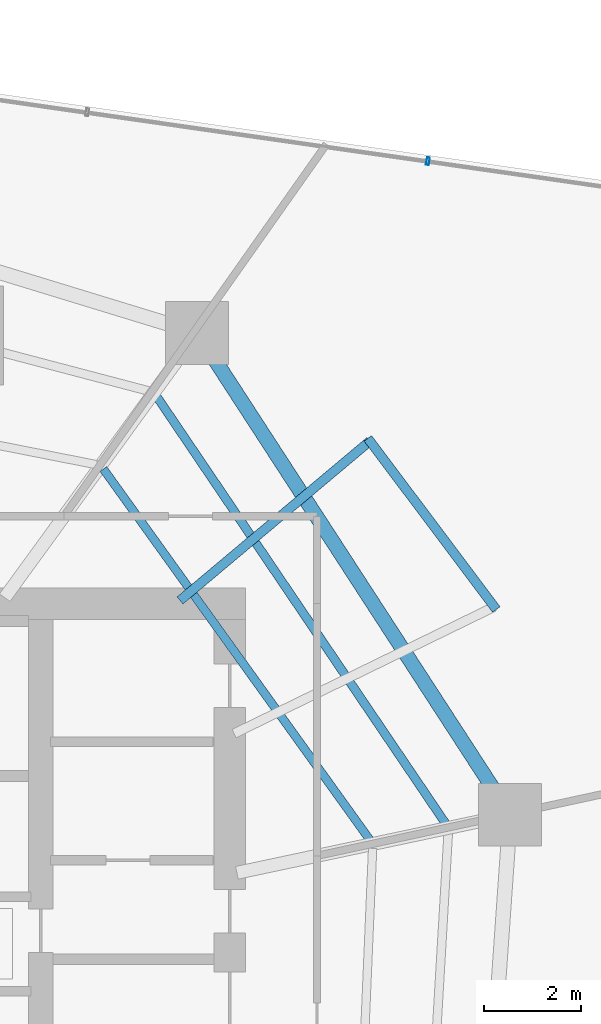
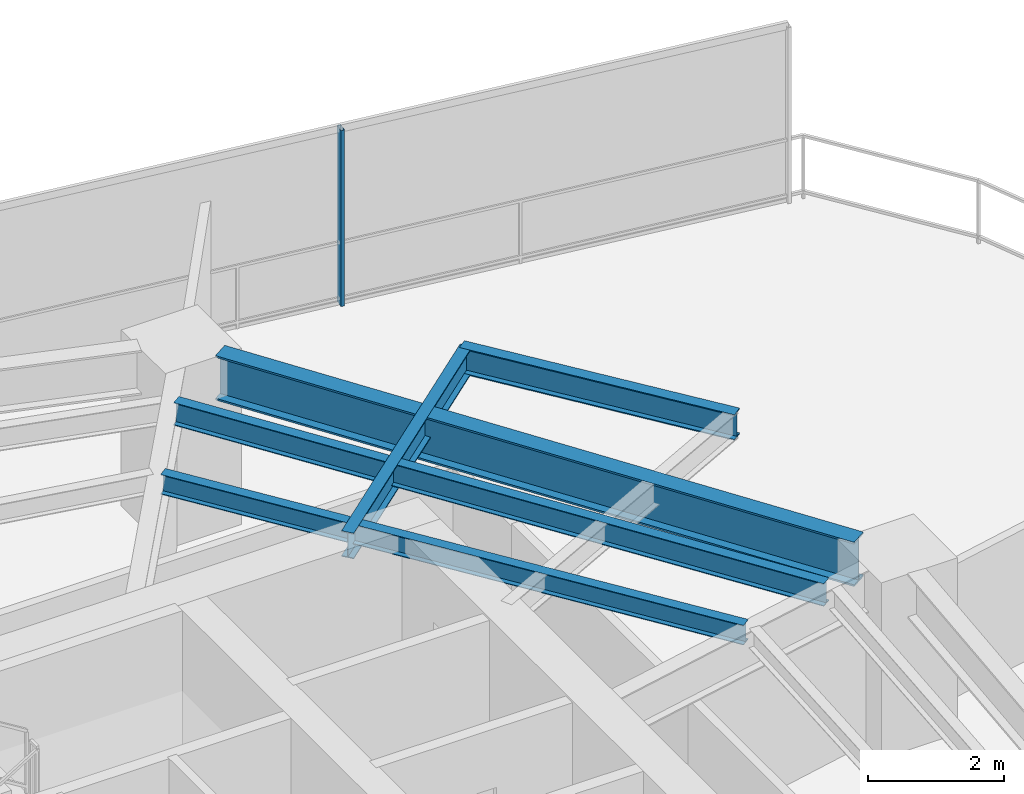
# One storey, part 23 of 32: 5 beams, 1 member, 1 element without a shape of its own.
"""IFC4 building model written with IfcOpenShell, lengths in metres."""

from ifc_helpers import new_model, si_unit, direction, frame, origin, origin_2d, place, context, subcontext, project, spatial, hollow_rectangle, i_section, extrude, material, layer, layer_set, material_profile, profile_set, type_object, element, aggregate, save


model = new_model("IFC4")

# Units and contexts
model_context = context("Model", 3, precision=1e-05, world=origin(), true_north=direction((0.0, 1.0)))
body_context = subcontext(model_context, "Body", "Model", "MODEL_VIEW")
ifc_project = project(units=[si_unit("LENGTHUNIT", "METRE"), si_unit("AREAUNIT", "SQUARE_METRE"), si_unit("VOLUMEUNIT", "CUBIC_METRE"), si_unit("PLANEANGLEUNIT", "RADIAN"), si_unit("MASSUNIT", "GRAM", prefix="KILO")], contexts=[model_context])

# Site, building, storey
site_placement = place(None, origin())
site = spatial("IfcSite", under=ifc_project, at=site_placement, CompositionType="ELEMENT")
building_placement = place(site_placement, origin())
building = spatial("IfcBuilding", under=site, at=building_placement, Name="Qarnah Convention Tower", CompositionType="ELEMENT")
storey_placement = place(building_placement, frame((0.0, 0.0, 37.35009765625)))
storey = spatial("IfcBuildingStorey", under=building, at=storey_placement, Name="L08", CompositionType="ELEMENT", Elevation=37.35009765625)

# Beams
ifc_material_1 = material(Name="Structural steel S355JR", Category="steel")
ifc_material_profile_1 = material_profile(ifc_material_1, i_section(OverallWidth=0.19189453125, OverallDepth=0.464111328125, WebThickness=0.010986328125, FlangeThickness=0.01806640625, at=origin_2d()), Name="W460X89")
ifc_profile_set_1 = profile_set([ifc_material_profile_1], Name="Structural steel S355JR")
beam_type_1 = type_object("IfcBeamType", Name="BM-CANT-W460A", PredefinedType="BEAM", material=ifc_profile_set_1)
beam_1_placement = place(storey_placement, frame((46.572021484375, 34.263916015625, 2.93798828125), z_axis=(0.765964185984, 0.64288324429, 0.0), x_axis=(-0.64288324429, 0.765964185984, 0.0)))
element("IfcBeam", 1, at=beam_1_placement, inside=storey, type_object=beam_type_1, Name="L08 beam BM-L08-CNT-01-2", PredefinedType="BEAM", context=body_context, shape_type="SweptSolid", body=[
    extrude(i_section(OverallWidth=0.19189453125, OverallDepth=0.464111328125, WebThickness=0.010986328125, FlangeThickness=0.01806640625, at=origin_2d()), origin(), (0.0, 0.0, 1.0), 5.11767578125),
])
beam_2_placement = place(storey_placement, frame((53.10107421875, 34.077880859375, 2.93798828125), z_axis=(-0.600282994859, 0.799787675626, 0.0), x_axis=(-0.799787675626, -0.600282994859, 0.0)))
element("IfcBeam", 2, at=beam_2_placement, inside=storey, type_object=beam_type_1, Name="L08 spandrel BM-L08-CTIE-01", PredefinedType="SPANDREL", context=body_context, shape_type="SweptSolid", body=[
    extrude(i_section(OverallWidth=0.19189453125, OverallDepth=0.464111328125, WebThickness=0.010986328125, FlangeThickness=0.01806640625, at=origin_2d()), origin(), (0.0, 0.0, 1.0), 4.41650390625),
])
ifc_material_profile_2 = material_profile(ifc_material_1, i_section(OverallWidth=0.172119140625, OverallDepth=0.35595703125, WebThickness=0.007080078125, FlangeThickness=0.011962890625, at=origin_2d()), Name="W360X51")
ifc_profile_set_2 = profile_set([ifc_material_profile_2], Name="Structural steel S355JR")
beam_type_2 = type_object("IfcBeamType", Name="BM-JST-W360", PredefinedType="JOIST", material=ifc_profile_set_2)
beam_3_placement = place(storey_placement, frame((50.4990234375, 29.31103515625, 2.991943359375), z_axis=(-0.583503875683, 0.812110353993, 0.0), x_axis=(-0.812110353993, -0.583503875683, 0.0)))
element("IfcBeam", 3, at=beam_3_placement, inside=storey, type_object=beam_type_2, Name="L08 joist BM-L08-IJST-01", PredefinedType="JOIST", context=body_context, shape_type="SweptSolid", body=[
    extrude(i_section(OverallWidth=0.172119140625, OverallDepth=0.35595703125, WebThickness=0.007080078125, FlangeThickness=0.011962890625, at=origin_2d()), origin(), (0.0, 0.0, 1.0), 9.439697265625),
])
ifc_material_profile_3 = material_profile(ifc_material_1, i_section(OverallWidth=0.177978515625, OverallDepth=0.407958984375, WebThickness=0.008056640625, FlangeThickness=0.012939453125, at=origin_2d()), Name="W410X60")
ifc_profile_set_3 = profile_set([ifc_material_profile_3], Name="Structural steel S355JR")
beam_type_3 = type_object("IfcBeamType", Name="BM-JST-W410", PredefinedType="JOIST", material=ifc_profile_set_3)
beam_4_placement = place(storey_placement, frame((52.06494140625, 29.64501953125, 2.9658203125), z_axis=(-0.560357375218, 0.828250935429, 0.0), x_axis=(-0.828250935429, -0.560357375218, 0.0)))
element("IfcBeam", 4, at=beam_4_placement, inside=storey, type_object=beam_type_3, Name="L08 joist BM-L08-SJST-01", PredefinedType="JOIST", context=body_context, shape_type="SweptSolid", body=[
    extrude(i_section(OverallWidth=0.177978515625, OverallDepth=0.407958984375, WebThickness=0.008056640625, FlangeThickness=0.012939453125, at=origin_2d()), origin(), (0.0, 0.0, 1.0), 10.671630859375),
])
ifc_material_profile_4 = material_profile(ifc_material_1, i_section(OverallWidth=0.300048828125, OverallDepth=0.800048828125, WebThickness=0.01806640625, FlangeThickness=0.032958984375, at=origin_2d()), Name="HEB800")
ifc_profile_set_4 = profile_set([ifc_material_profile_4], Name="Structural steel S355JR")
beam_type_4 = type_object("IfcBeamType", Name="BM-RING-HEB800", PredefinedType="BEAM", material=ifc_profile_set_4)
beam_5_placement = place(storey_placement, frame((53.0390625, 30.3779296875, 2.77001953125), z_axis=(-0.544579515688, 0.838709217246, 0.0), x_axis=(-0.838709217246, -0.544579515688, 0.0)))
element("IfcBeam", 5, at=beam_5_placement, inside=storey, type_object=beam_type_4, Name="L08 beam BM-L08-SPN-01", PredefinedType="BEAM", context=body_context, shape_type="SweptSolid", body=[
    extrude(i_section(OverallWidth=0.300048828125, OverallDepth=0.800048828125, WebThickness=0.01806640625, FlangeThickness=0.032958984375, at=origin_2d()), origin(), (0.0, 0.0, 1.0), 10.58056640625),
])

# Curtain wall, member
ifc_material_2 = material(Name="Tempered Low-E dark glass", Category="glass")
ifc_layer = layer(ifc_material_2, 0.16796875)
ifc_layer_set = layer_set([ifc_layer], Name="Tempered Low-E dark glass")
curtain_wall_type = type_object("IfcCurtainWallType", Name="CWS-01", PredefinedType="NOTDEFINED", material=ifc_layer_set)
curtain_wall_placement = place(storey_placement, origin())
curtain_wall = element("IfcCurtainWall", 6, at=curtain_wall_placement, inside=storey, type_object=curtain_wall_type, Name="L08 unitised curtain wall CW-L08-F2", PredefinedType="NOTDEFINED")
ifc_material_3 = material(Name="Black anodised aluminium", Category="aluminium")
ifc_material_profile_5 = material_profile(ifc_material_3, hollow_rectangle(XDim=0.06005859375, YDim=0.159912109375, WallThickness=0.00390625, at=origin_2d()), Name="MUL-60X160")
ifc_profile_set_5 = profile_set([ifc_material_profile_5], Name="Black anodised aluminium")
member_type = type_object("IfcMemberType", Name="MUL-T1", PredefinedType="MULLION", material=ifc_profile_set_5)
member_placement = place(storey_placement, frame((51.690673828125, 43.331298828125, 0.0), z_axis=(0.0, 0.0, 1.0), x_axis=(0.989875035809, -0.141941584753, 0.0)))
member = element("IfcMember", 7, at=member_placement, type_object=member_type, Name="CW-L08-F2 mullion 5", PredefinedType="MULLION", context=body_context, shape_type="SweptSolid", body=[
    extrude(hollow_rectangle(XDim=0.06005859375, YDim=0.159912109375, WallThickness=0.00390625, at=origin_2d()), origin(), (0.0, 0.0, 1.0), 3.169921875),
])
aggregate(curtain_wall, [member])

save(model, "model.ifc")
